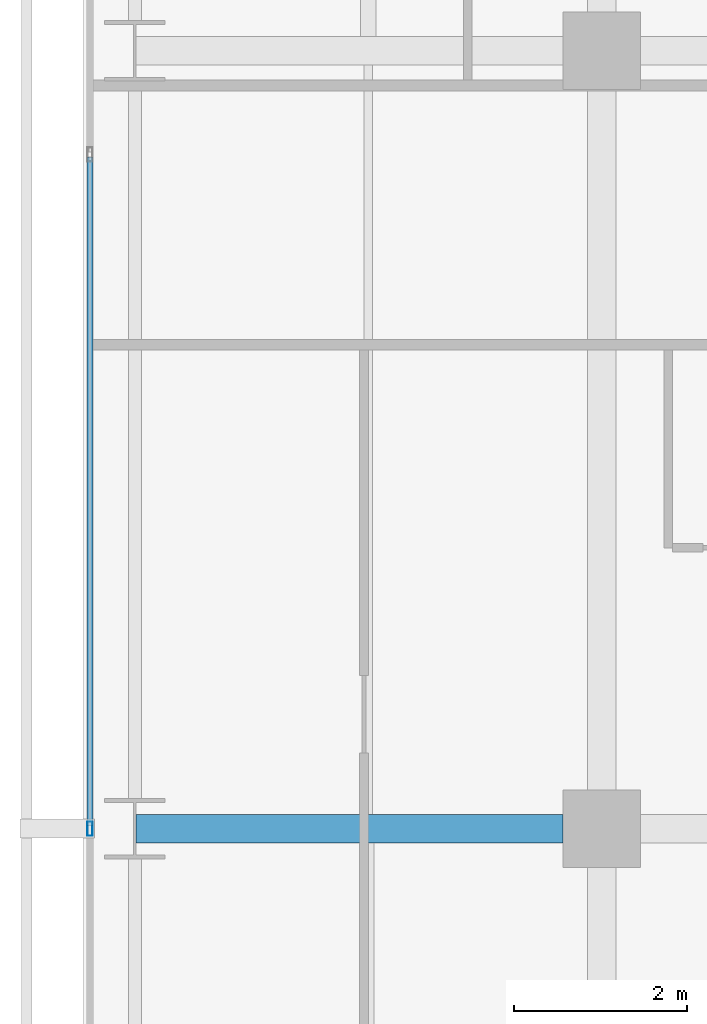
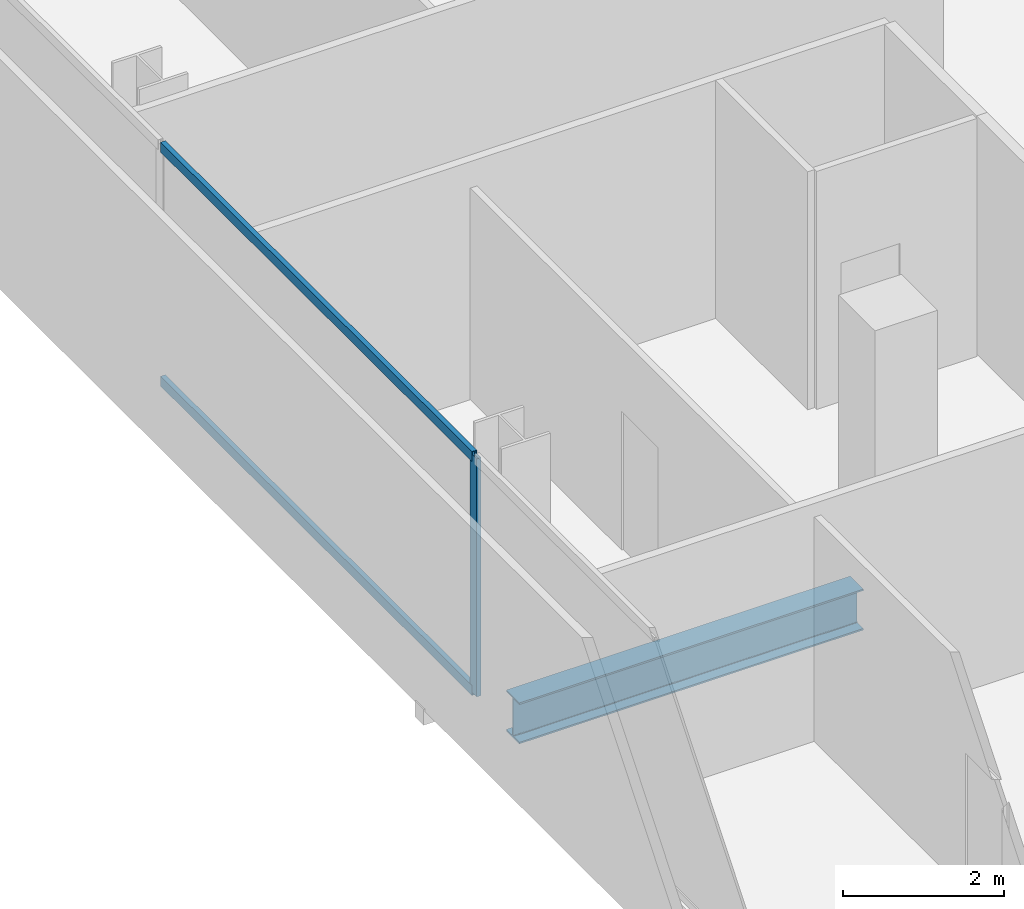
# One storey, part 12 of 39: 3 members, 1 beam, 1 element without a shape of its own.
"""IFC4 building model written with IfcOpenShell, lengths in metres."""

from ifc_helpers import new_model, si_unit, direction, frame, origin, origin_2d, place, context, subcontext, project, spatial, hollow_rectangle, i_section, extrude, material, layer, layer_set, material_profile, profile_set, type_object, element, aggregate, save


model = new_model("IFC4")

# Units and contexts
model_context = context("Model", 3, precision=1e-05, world=origin(), true_north=direction((0.0, 1.0)))
body_context = subcontext(model_context, "Body", "Model", "MODEL_VIEW")
ifc_project = project(units=[si_unit("LENGTHUNIT", "METRE"), si_unit("AREAUNIT", "SQUARE_METRE"), si_unit("VOLUMEUNIT", "CUBIC_METRE"), si_unit("PLANEANGLEUNIT", "RADIAN"), si_unit("MASSUNIT", "GRAM", prefix="KILO")], contexts=[model_context])

# Site, building, storey
site_placement = place(None, origin())
site = spatial("IfcSite", under=ifc_project, at=site_placement, CompositionType="ELEMENT")
building_placement = place(site_placement, origin())
building = spatial("IfcBuilding", under=site, at=building_placement, Name="Maruvema Waterfront Hotel and Observation Tower", CompositionType="ELEMENT")
storey_placement = place(building_placement, frame((0.0, 0.0, 69.300048828125)))
storey = spatial("IfcBuildingStorey", under=building, at=storey_placement, Name="L16", CompositionType="ELEMENT", Elevation=69.300048828125)

# Curtain wall, members
ifc_material_1 = material(Name="Anodised bronze aluminium and solar-control low-E IGU", Category="aluminium")
ifc_layer = layer(ifc_material_1, 0.159912109375, Name="Zone 1 Bronze Inner Thermal Curtain Wall System CW-02")
ifc_layer_set = layer_set([ifc_layer], Name="Anodised bronze aluminium and solar-control low-E IGU")
curtain_wall_type = type_object("IfcCurtainWallType", Name="Zone 1 Bronze Inner Thermal Curtain Wall System CW-02", PredefinedType="USERDEFINED", material=ifc_layer_set)
curtain_wall_placement = place(storey_placement, origin())
curtain_wall = element("IfcCurtainWall", 1, at=curtain_wall_placement, inside=storey, type_object=curtain_wall_type, Name="L16 Curtain Wall CW-L16-W", ObjectType="UNITISED CURTAIN WALL", PredefinedType="USERDEFINED")
ifc_material_2 = material(Name="Anodised architectural bronze aluminium", Category="aluminium")
ifc_material_profile_1 = material_profile(ifc_material_2, hollow_rectangle(XDim=0.070068359375, YDim=0.14990234375, WallThickness=0.00390625, at=origin_2d()), Name="ALU-T70x150")
ifc_profile_set_1 = profile_set([ifc_material_profile_1], Name="Anodised architectural bronze aluminium")
member_type_1 = type_object("IfcMemberType", Name="Curtain Wall Horizontal Transom ALU-T70x150", PredefinedType="USERDEFINED", material=ifc_profile_set_1)
member_1_placement = place(storey_placement, frame((10.8798828125, 34.77001953125, 0.030029296875), z_axis=(0.0, -1.0, 0.0), x_axis=(1.0, 0.0, 0.0)))
member_1 = element("IfcMember", 2, at=member_1_placement, type_object=member_type_1, Name="CW-02 transom 3.1", ObjectType="TRANSOM", PredefinedType="USERDEFINED", context=body_context, shape_type="SweptSolid", body=[
    extrude(hollow_rectangle(XDim=0.070068359375, YDim=0.14990234375, WallThickness=0.00390625, at=origin_2d()), origin(), (0.0, 0.0, 1.0), 7.739990234375),
])
member_2_placement = place(storey_placement, frame((10.8798828125, 34.77001953125, 3.579833984375), z_axis=(0.0, -1.0, 0.0), x_axis=(1.0, 0.0, 0.0)))
member_2 = element("IfcMember", 3, at=member_2_placement, type_object=member_type_1, Name="CW-02 transom 3.2", ObjectType="TRANSOM", PredefinedType="USERDEFINED", context=body_context, shape_type="SweptSolid", body=[
    extrude(hollow_rectangle(XDim=0.070068359375, YDim=0.14990234375, WallThickness=0.00390625, at=origin_2d()), origin(), (0.0, 0.0, 1.0), 7.739990234375),
])
ifc_material_3 = material(Name="Anodised architectural bronze aluminium", Category="aluminium")
ifc_material_profile_2 = material_profile(ifc_material_3, hollow_rectangle(XDim=0.06494140625, YDim=0.1650390625, WallThickness=0.00390625, at=origin_2d()), Name="ALU-M65x165")
ifc_profile_set_2 = profile_set([ifc_material_profile_2], Name="Anodised architectural bronze aluminium")
member_type_2 = type_object("IfcMemberType", Name="Curtain Wall Primary Mullion ALU-M65x165", PredefinedType="MULLION", material=ifc_profile_set_2)
member_3_placement = place(storey_placement, frame((10.8798828125, 27.0, 0.0), z_axis=(0.0, 0.0, 1.0), x_axis=(1.0, 0.0, 0.0)))
member_3 = element("IfcMember", 4, at=member_3_placement, type_object=member_type_2, Name="CW-02 mullion 4", PredefinedType="MULLION", context=body_context, shape_type="SweptSolid", body=[
    extrude(hollow_rectangle(XDim=0.06494140625, YDim=0.1650390625, WallThickness=0.00390625, at=origin_2d()), origin(), (0.0, 0.0, 1.0), 3.60986328125),
])
aggregate(curtain_wall, [member_3, member_1, member_2])

# Beam
ifc_material_4 = material(Name="Steel ASTM A572 Grade 50", Category="steel")
ifc_material_profile_3 = material_profile(ifc_material_4, i_section(OverallWidth=0.326904296875, OverallDepth=0.6220703125, WebThickness=0.015380859375, FlangeThickness=0.0244140625, FilletRadius=0.01806640625, at=origin_2d()), Name="W610x195.0")
ifc_profile_set_3 = profile_set([ifc_material_profile_3], Name="Steel ASTM A572 Grade 50")
beam_type = type_object("IfcBeamType", Name="Primary Floor Girder W610x195.0", PredefinedType="BEAM", material=ifc_profile_set_3)
beam_placement = place(storey_placement, frame((11.4140625, 27.0, -0.551025390625), z_axis=(1.0, 0.0, 0.0), x_axis=(0.0, 1.0, 0.0)))
element("IfcBeam", 5, at=beam_placement, inside=storey, type_object=beam_type, Name="L16 Floor Girder EW-20", PredefinedType="BEAM", context=body_context, shape_type="SweptSolid", body=[
    extrude(i_section(OverallWidth=0.326904296875, OverallDepth=0.6220703125, WebThickness=0.015380859375, FlangeThickness=0.0244140625, FilletRadius=0.01806640625, at=origin_2d()), origin(), (0.0, 0.0, 1.0), 4.93603515625),
])

save(model, "model.ifc")
